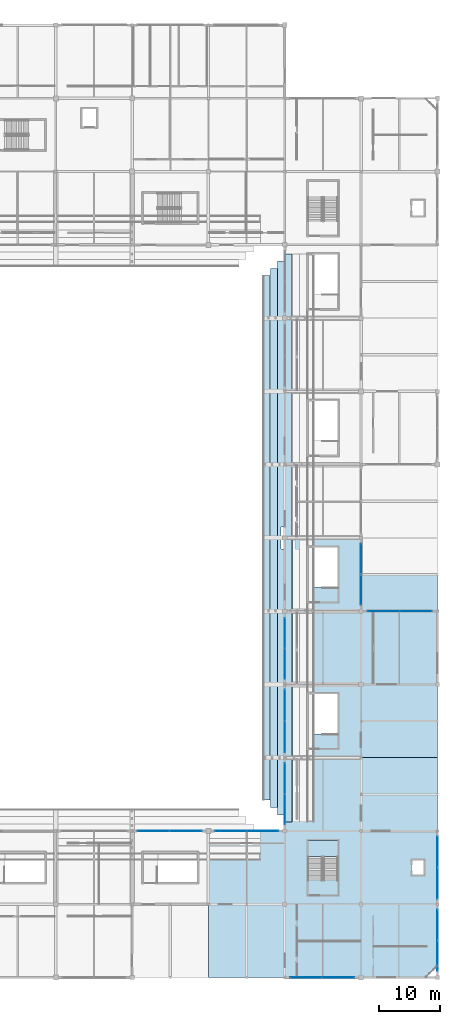
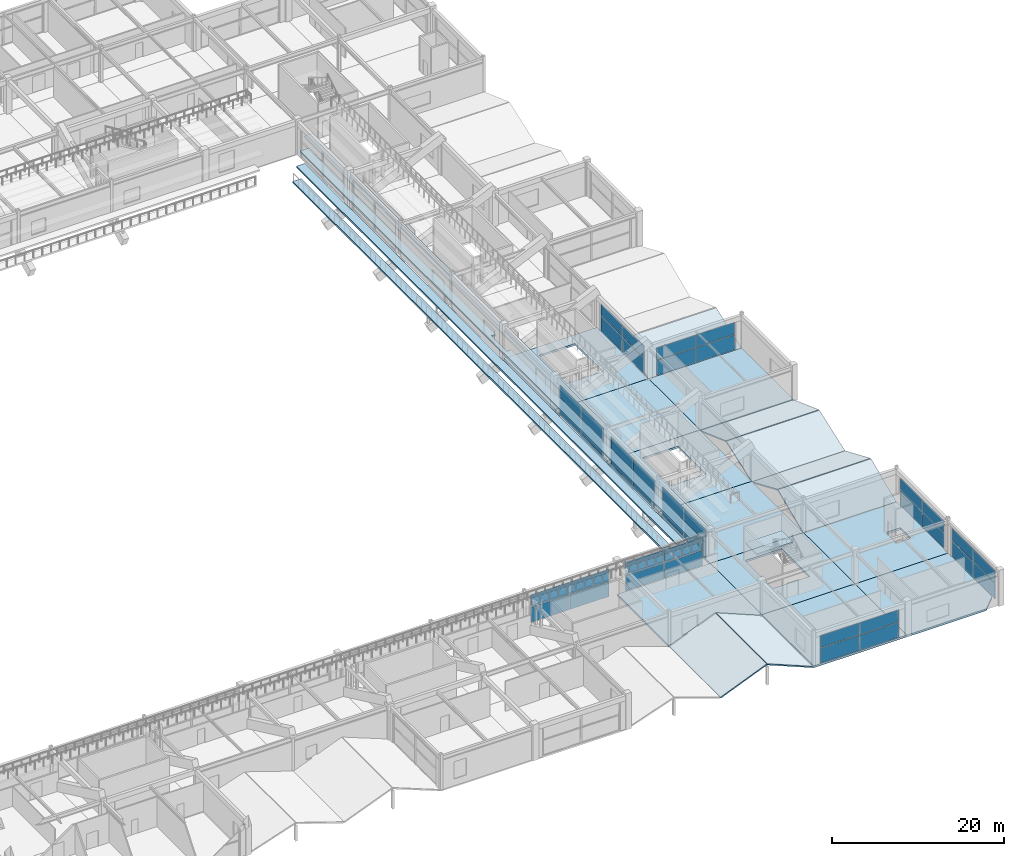
# One storey, part 72 of 128: 40 plates, 22 slabs, 11 elements without a shape of their own.
"""IFC4 building model written with IfcOpenShell, lengths in metres."""

from ifc_helpers import new_model, si_unit, direction, frame, origin, origin_2d, place, context, subcontext, project, spatial, polyline, rectangle, outline, extrude, material, layer, layer_set, type_object, element, aggregate, save


model = new_model("IFC4")

# Units and contexts
model_context = context("Model", 3, precision=1e-05, world=origin(), true_north=direction((0.0, 1.0)))
body_context = subcontext(model_context, "Body", "Model", "MODEL_VIEW")
ifc_project = project(units=[si_unit("LENGTHUNIT", "METRE"), si_unit("AREAUNIT", "SQUARE_METRE"), si_unit("VOLUMEUNIT", "CUBIC_METRE"), si_unit("PLANEANGLEUNIT", "RADIAN"), si_unit("MASSUNIT", "GRAM", prefix="KILO")], contexts=[model_context])

# Site, building, storey
site_placement = place(None, origin())
site = spatial("IfcSite", under=ifc_project, at=site_placement, CompositionType="ELEMENT")
building_placement = place(site_placement, origin())
building = spatial("IfcBuilding", under=site, at=building_placement, Name="Kazenohara Klinker Stadium", CompositionType="ELEMENT")
storey_placement = place(building_placement, frame((0.0, 0.0, 15.300048828125)))
storey = spatial("IfcBuildingStorey", under=building, at=storey_placement, Name="L03", CompositionType="ELEMENT", Elevation=15.300048828125)

# Curtain wall, plates
ifc_material_1 = material(Name="Anodised aluminium and triple glazing", Category="aluminium")
ifc_layer_1 = layer(ifc_material_1, 0.159912109375)
ifc_layer_set_1 = layer_set([ifc_layer_1], Name="Anodised aluminium and triple glazing")
curtain_wall_type_1 = type_object("IfcCurtainWallType", Name="CW-SYS-01", PredefinedType="USERDEFINED", material=ifc_layer_set_1)
curtain_wall_1_placement = place(storey_placement, origin())
curtain_wall_1 = element("IfcCurtainWall", 1, at=curtain_wall_1_placement, inside=storey, type_object=curtain_wall_type_1, Name="Unitised facade curtain wall CW01 L03 X12-3", ObjectType="UNITISED CURTAIN WALL", PredefinedType="USERDEFINED")
ifc_material_2 = material(Name="Low-e laminated triple glazing", Category="glass")
ifc_layer_2 = layer(ifc_material_2, 0.0439453125)
ifc_layer_set_2 = layer_set([ifc_layer_2], Name="Low-e laminated triple glazing")
plate_type = type_object("IfcPlateType", Name="CW-PNL-44", PredefinedType="CURTAIN_PANEL", material=ifc_layer_set_2)
plate_1_placement = place(storey_placement, frame((153.501953125, 36.0, 0.074951171875), z_axis=(0.0, 0.0, 1.0), x_axis=(1.0, 0.0, 0.0)))
plate_1 = element("IfcPlate", 2, at=plate_1_placement, type_object=plate_type, Name="CW01 panel 1.1", PredefinedType="CURTAIN_PANEL", context=body_context, shape_type="SweptSolid", body=[
    extrude(rectangle(XDim=5.196044921875, YDim=0.0439453125, at=origin_2d()), origin(), (0.0, 0.0, 1.0), 2.12060546875),
])
plate_2_placement = place(storey_placement, frame((153.501953125, 36.0, 2.2705078125), z_axis=(0.0, 0.0, 1.0), x_axis=(1.0, 0.0, 0.0)))
plate_2 = element("IfcPlate", 3, at=plate_2_placement, type_object=plate_type, Name="CW01 panel 1.2", PredefinedType="CURTAIN_PANEL", context=body_context, shape_type="SweptSolid", body=[
    extrude(rectangle(XDim=5.196044921875, YDim=0.0439453125, at=origin_2d()), origin(), (0.0, 0.0, 1.0), 1.714599609375),
])
plate_3_placement = place(storey_placement, frame((158.77294921875, 36.0, 0.074951171875), z_axis=(0.0, 0.0, 1.0), x_axis=(1.0, 0.0, 0.0)))
plate_3 = element("IfcPlate", 4, at=plate_3_placement, type_object=plate_type, Name="CW01 panel 2.1", PredefinedType="CURTAIN_PANEL", context=body_context, shape_type="SweptSolid", body=[
    extrude(rectangle(XDim=5.196044921875, YDim=0.0439453125, at=origin_2d()), origin(), (0.0, 0.0, 1.0), 2.12060546875),
])
plate_4_placement = place(storey_placement, frame((158.77294921875, 36.0, 2.2705078125), z_axis=(0.0, 0.0, 1.0), x_axis=(1.0, 0.0, 0.0)))
plate_4 = element("IfcPlate", 5, at=plate_4_placement, type_object=plate_type, Name="CW01 panel 2.2", PredefinedType="CURTAIN_PANEL", context=body_context, shape_type="SweptSolid", body=[
    extrude(rectangle(XDim=5.196044921875, YDim=0.0439453125, at=origin_2d()), origin(), (0.0, 0.0, 1.0), 1.714599609375),
])
aggregate(curtain_wall_1, [plate_1, plate_2, plate_3, plate_4])

ifc_layer_3 = layer(ifc_material_1, 0.199951171875)
ifc_layer_set_3 = layer_set([ifc_layer_3], Name="Anodised aluminium and triple glazing")
curtain_wall_type_2 = type_object("IfcCurtainWallType", Name="CW-SYS-03", PredefinedType="USERDEFINED", material=ifc_layer_set_3)
curtain_wall_2_placement = place(storey_placement, origin())
curtain_wall_2 = element("IfcCurtainWall", 6, at=curtain_wall_2_placement, inside=storey, type_object=curtain_wall_type_2, Name="Unitised facade curtain wall CW03 L03 X13-3", ObjectType="UNITISED CURTAIN WALL", PredefinedType="USERDEFINED")
plate_5_placement = place(storey_placement, frame((166.183349609375, 36.0, 0.07470703125), z_axis=(0.0, 0.0, 1.0), x_axis=(1.0, 0.0, 0.0)))
plate_5 = element("IfcPlate", 7, at=plate_5_placement, type_object=plate_type, Name="CW03 panel 1.1", PredefinedType="CURTAIN_PANEL", context=body_context, shape_type="SweptSolid", body=[
    extrude(rectangle(XDim=5.1083984375, YDim=0.0439453125, at=origin_2d()), origin(), (0.0, 0.0, 1.0), 2.175537109375),
])
plate_6_placement = place(storey_placement, frame((166.183349609375, 36.0, 2.32568359375), z_axis=(0.0, 0.0, 1.0), x_axis=(1.0, 0.0, 0.0)))
plate_6 = element("IfcPlate", 8, at=plate_6_placement, type_object=plate_type, Name="CW03 panel 1.2", PredefinedType="CURTAIN_PANEL", context=body_context, shape_type="SweptSolid", body=[
    extrude(rectangle(XDim=5.1083984375, YDim=0.0439453125, at=origin_2d()), origin(), (0.0, 0.0, 1.0), 1.759521484375),
])
plate_7_placement = place(storey_placement, frame((171.36669921875, 36.0, 0.07470703125), z_axis=(0.0, 0.0, 1.0), x_axis=(1.0, 0.0, 0.0)))
plate_7 = element("IfcPlate", 9, at=plate_7_placement, type_object=plate_type, Name="CW03 panel 2.1", PredefinedType="CURTAIN_PANEL", context=body_context, shape_type="SweptSolid", body=[
    extrude(rectangle(XDim=5.1083984375, YDim=0.0439453125, at=origin_2d()), origin(), (0.0, 0.0, 1.0), 2.175537109375),
])
plate_8_placement = place(storey_placement, frame((171.36669921875, 36.0, 2.32568359375), z_axis=(0.0, 0.0, 1.0), x_axis=(1.0, 0.0, 0.0)))
plate_8 = element("IfcPlate", 10, at=plate_8_placement, type_object=plate_type, Name="CW03 panel 2.2", PredefinedType="CURTAIN_PANEL", context=body_context, shape_type="SweptSolid", body=[
    extrude(rectangle(XDim=5.1083984375, YDim=0.0439453125, at=origin_2d()), origin(), (0.0, 0.0, 1.0), 1.759521484375),
])
aggregate(curtain_wall_2, [plate_5, plate_6, plate_7, plate_8])

ifc_layer_4 = layer(ifc_material_1, 0.18994140625)
ifc_layer_set_4 = layer_set([ifc_layer_4], Name="Anodised aluminium and triple glazing")
curtain_wall_type_3 = type_object("IfcCurtainWallType", Name="CW-SYS-05", PredefinedType="USERDEFINED", material=ifc_layer_set_4)
curtain_wall_3_placement = place(storey_placement, origin())
curtain_wall_3 = element("IfcCurtainWall", 11, at=curtain_wall_3_placement, inside=storey, type_object=curtain_wall_type_3, Name="Unitised facade curtain wall CW05 L03 X14-1", ObjectType="UNITISED CURTAIN WALL", PredefinedType="USERDEFINED")
plate_9_placement = place(storey_placement, frame((178.501953125, 12.0, 0.074951171875), z_axis=(0.0, 0.0, 1.0), x_axis=(1.0, 0.0, 0.0)))
plate_9 = element("IfcPlate", 12, at=plate_9_placement, type_object=plate_type, Name="CW05 panel 1.1", PredefinedType="CURTAIN_PANEL", context=body_context, shape_type="SweptSolid", body=[
    extrude(rectangle(XDim=5.196044921875, YDim=0.0439453125, at=origin_2d()), origin(), (0.0, 0.0, 1.0), 2.12060546875),
])
plate_10_placement = place(storey_placement, frame((178.501953125, 12.0, 2.2705078125), z_axis=(0.0, 0.0, 1.0), x_axis=(1.0, 0.0, 0.0)))
plate_10 = element("IfcPlate", 13, at=plate_10_placement, type_object=plate_type, Name="CW05 panel 1.2", PredefinedType="CURTAIN_PANEL", context=body_context, shape_type="SweptSolid", body=[
    extrude(rectangle(XDim=5.196044921875, YDim=0.0439453125, at=origin_2d()), origin(), (0.0, 0.0, 1.0), 1.714599609375),
])
plate_11_placement = place(storey_placement, frame((183.77294921875, 12.0, 0.074951171875), z_axis=(0.0, 0.0, 1.0), x_axis=(1.0, 0.0, 0.0)))
plate_11 = element("IfcPlate", 14, at=plate_11_placement, type_object=plate_type, Name="CW05 panel 2.1", PredefinedType="CURTAIN_PANEL", context=body_context, shape_type="SweptSolid", body=[
    extrude(rectangle(XDim=5.196044921875, YDim=0.0439453125, at=origin_2d()), origin(), (0.0, 0.0, 1.0), 2.12060546875),
])
plate_12_placement = place(storey_placement, frame((183.77294921875, 12.0, 2.2705078125), z_axis=(0.0, 0.0, 1.0), x_axis=(1.0, 0.0, 0.0)))
plate_12 = element("IfcPlate", 15, at=plate_12_placement, type_object=plate_type, Name="CW05 panel 2.2", PredefinedType="CURTAIN_PANEL", context=body_context, shape_type="SweptSolid", body=[
    extrude(rectangle(XDim=5.196044921875, YDim=0.0439453125, at=origin_2d()), origin(), (0.0, 0.0, 1.0), 1.714599609375),
])
aggregate(curtain_wall_3, [plate_9, plate_10, plate_11, plate_12])

curtain_wall_4_placement = place(storey_placement, origin())
curtain_wall_4 = element("IfcCurtainWall", 16, at=curtain_wall_4_placement, inside=storey, type_object=curtain_wall_type_1, Name="Unitised facade curtain wall CW01 L03 Y14-3", ObjectType="UNITISED CURTAIN WALL", PredefinedType="USERDEFINED")
plate_13_placement = place(storey_placement, frame((175.0, 39.558349609375, 0.074951171875), z_axis=(0.0, 0.0, 1.0), x_axis=(0.0, 1.0, 0.0)))
plate_13 = element("IfcPlate", 17, at=plate_13_placement, type_object=plate_type, Name="CW01 panel 1.1", PredefinedType="CURTAIN_PANEL", context=body_context, shape_type="SweptSolid", body=[
    extrude(rectangle(XDim=4.95849609375, YDim=0.0439453125, at=origin_2d()), origin(), (0.0, 0.0, 1.0), 2.18212890625),
])
plate_14_placement = place(storey_placement, frame((175.0, 39.558349609375, 2.33203125), z_axis=(0.0, 0.0, 1.0), x_axis=(0.0, 1.0, 0.0)))
plate_14 = element("IfcPlate", 18, at=plate_14_placement, type_object=plate_type, Name="CW01 panel 1.2", PredefinedType="CURTAIN_PANEL", context=body_context, shape_type="SweptSolid", body=[
    extrude(rectangle(XDim=4.95849609375, YDim=0.0439453125, at=origin_2d()), origin(), (0.0, 0.0, 1.0), 1.764892578125),
])
plate_15_placement = place(storey_placement, frame((175.0, 44.591796875, 0.074951171875), z_axis=(0.0, 0.0, 1.0), x_axis=(0.0, 1.0, 0.0)))
plate_15 = element("IfcPlate", 19, at=plate_15_placement, type_object=plate_type, Name="CW01 panel 2.1", PredefinedType="CURTAIN_PANEL", context=body_context, shape_type="SweptSolid", body=[
    extrude(rectangle(XDim=4.95849609375, YDim=0.0439453125, at=origin_2d()), origin(), (0.0, 0.0, 1.0), 2.18212890625),
])
plate_16_placement = place(storey_placement, frame((175.0, 44.591796875, 2.33203125), z_axis=(0.0, 0.0, 1.0), x_axis=(0.0, 1.0, 0.0)))
plate_16 = element("IfcPlate", 20, at=plate_16_placement, type_object=plate_type, Name="CW01 panel 2.2", PredefinedType="CURTAIN_PANEL", context=body_context, shape_type="SweptSolid", body=[
    extrude(rectangle(XDim=4.95849609375, YDim=0.0439453125, at=origin_2d()), origin(), (0.0, 0.0, 1.0), 1.764892578125),
])
aggregate(curtain_wall_4, [plate_13, plate_14, plate_15, plate_16])

ifc_layer_5 = layer(ifc_material_1, 0.179931640625)
ifc_layer_set_5 = layer_set([ifc_layer_5], Name="Anodised aluminium and triple glazing")
curtain_wall_type_4 = type_object("IfcCurtainWallType", Name="CW-SYS-02", PredefinedType="USERDEFINED", material=ifc_layer_set_5)
curtain_wall_5_placement = place(storey_placement, origin())
curtain_wall_5 = element("IfcCurtainWall", 21, at=curtain_wall_5_placement, inside=storey, type_object=curtain_wall_type_4, Name="Unitised facade curtain wall CW02 L03 Y14-4", ObjectType="UNITISED CURTAIN WALL", PredefinedType="USERDEFINED")
plate_17_placement = place(storey_placement, frame((175.0, 51.451904296875, 0.074951171875), z_axis=(0.0, 0.0, 1.0), x_axis=(0.0, 1.0, 0.0)))
plate_17 = element("IfcPlate", 22, at=plate_17_placement, type_object=plate_type, Name="CW02 panel 1.1", PredefinedType="CURTAIN_PANEL", context=body_context, shape_type="SweptSolid", body=[
    extrude(rectangle(XDim=5.0458984375, YDim=0.0439453125, at=origin_2d()), origin(), (0.0, 0.0, 1.0), 2.12060546875),
])
plate_18_placement = place(storey_placement, frame((175.0, 51.451904296875, 2.2705078125), z_axis=(0.0, 0.0, 1.0), x_axis=(0.0, 1.0, 0.0)))
plate_18 = element("IfcPlate", 23, at=plate_18_placement, type_object=plate_type, Name="CW02 panel 1.2", PredefinedType="CURTAIN_PANEL", context=body_context, shape_type="SweptSolid", body=[
    extrude(rectangle(XDim=5.0458984375, YDim=0.0439453125, at=origin_2d()), origin(), (0.0, 0.0, 1.0), 1.714599609375),
])
plate_19_placement = place(storey_placement, frame((175.0, 56.572998046875, 0.074951171875), z_axis=(0.0, 0.0, 1.0), x_axis=(0.0, 1.0, 0.0)))
plate_19 = element("IfcPlate", 24, at=plate_19_placement, type_object=plate_type, Name="CW02 panel 2.1", PredefinedType="CURTAIN_PANEL", context=body_context, shape_type="SweptSolid", body=[
    extrude(rectangle(XDim=5.0458984375, YDim=0.0439453125, at=origin_2d()), origin(), (0.0, 0.0, 1.0), 2.12060546875),
])
plate_20_placement = place(storey_placement, frame((175.0, 56.572998046875, 2.2705078125), z_axis=(0.0, 0.0, 1.0), x_axis=(0.0, 1.0, 0.0)))
plate_20 = element("IfcPlate", 25, at=plate_20_placement, type_object=plate_type, Name="CW02 panel 2.2", PredefinedType="CURTAIN_PANEL", context=body_context, shape_type="SweptSolid", body=[
    extrude(rectangle(XDim=5.0458984375, YDim=0.0439453125, at=origin_2d()), origin(), (0.0, 0.0, 1.0), 1.714599609375),
])
aggregate(curtain_wall_5, [plate_17, plate_18, plate_19, plate_20])

curtain_wall_6_placement = place(storey_placement, origin())
curtain_wall_6 = element("IfcCurtainWall", 26, at=curtain_wall_6_placement, inside=storey, type_object=curtain_wall_type_2, Name="Unitised facade curtain wall CW03 L03 Y14-5", ObjectType="UNITISED CURTAIN WALL", PredefinedType="USERDEFINED")
plate_21_placement = place(storey_placement, frame((175.0, 63.376953125, 0.07470703125), z_axis=(0.0, 0.0, 1.0), x_axis=(0.0, 1.0, 0.0)))
plate_21 = element("IfcPlate", 27, at=plate_21_placement, type_object=plate_type, Name="CW03 panel 1.1", PredefinedType="CURTAIN_PANEL", context=body_context, shape_type="SweptSolid", body=[
    extrude(rectangle(XDim=4.946044921875, YDim=0.0439453125, at=origin_2d()), origin(), (0.0, 0.0, 1.0), 2.175537109375),
])
plate_22_placement = place(storey_placement, frame((175.0, 63.376953125, 2.32568359375), z_axis=(0.0, 0.0, 1.0), x_axis=(0.0, 1.0, 0.0)))
plate_22 = element("IfcPlate", 28, at=plate_22_placement, type_object=plate_type, Name="CW03 panel 1.2", PredefinedType="CURTAIN_PANEL", context=body_context, shape_type="SweptSolid", body=[
    extrude(rectangle(XDim=4.946044921875, YDim=0.0439453125, at=origin_2d()), origin(), (0.0, 0.0, 1.0), 1.759521484375),
])
plate_23_placement = place(storey_placement, frame((175.0, 68.39794921875, 0.07470703125), z_axis=(0.0, 0.0, 1.0), x_axis=(0.0, 1.0, 0.0)))
plate_23 = element("IfcPlate", 29, at=plate_23_placement, type_object=plate_type, Name="CW03 panel 2.1", PredefinedType="CURTAIN_PANEL", context=body_context, shape_type="SweptSolid", body=[
    extrude(rectangle(XDim=4.946044921875, YDim=0.0439453125, at=origin_2d()), origin(), (0.0, 0.0, 1.0), 2.175537109375),
])
plate_24_placement = place(storey_placement, frame((175.0, 68.39794921875, 2.32568359375), z_axis=(0.0, 0.0, 1.0), x_axis=(0.0, 1.0, 0.0)))
plate_24 = element("IfcPlate", 30, at=plate_24_placement, type_object=plate_type, Name="CW03 panel 2.2", PredefinedType="CURTAIN_PANEL", context=body_context, shape_type="SweptSolid", body=[
    extrude(rectangle(XDim=4.946044921875, YDim=0.0439453125, at=origin_2d()), origin(), (0.0, 0.0, 1.0), 1.759521484375),
])
aggregate(curtain_wall_6, [plate_21, plate_22, plate_23, plate_24])

ifc_layer_6 = layer(ifc_material_1, 0.169921875)
ifc_layer_set_6 = layer_set([ifc_layer_6], Name="Anodised aluminium and triple glazing")
curtain_wall_type_5 = type_object("IfcCurtainWallType", Name="CW-SYS-04", PredefinedType="USERDEFINED", material=ifc_layer_set_6)
curtain_wall_7_placement = place(storey_placement, origin())
curtain_wall_7 = element("IfcCurtainWall", 31, at=curtain_wall_7_placement, inside=storey, type_object=curtain_wall_type_5, Name="Unitised facade curtain wall CW04 L03 Y15-6", ObjectType="UNITISED CURTAIN WALL", PredefinedType="USERDEFINED")
plate_25_placement = place(storey_placement, frame((187.5, 75.558349609375, 0.074951171875), z_axis=(0.0, 0.0, 1.0), x_axis=(0.0, 1.0, 0.0)))
plate_25 = element("IfcPlate", 32, at=plate_25_placement, type_object=plate_type, Name="CW04 panel 1.1", PredefinedType="CURTAIN_PANEL", context=body_context, shape_type="SweptSolid", body=[
    extrude(rectangle(XDim=4.95849609375, YDim=0.0439453125, at=origin_2d()), origin(), (0.0, 0.0, 1.0), 2.12060546875),
])
plate_26_placement = place(storey_placement, frame((187.5, 75.558349609375, 2.2705078125), z_axis=(0.0, 0.0, 1.0), x_axis=(0.0, 1.0, 0.0)))
plate_26 = element("IfcPlate", 33, at=plate_26_placement, type_object=plate_type, Name="CW04 panel 1.2", PredefinedType="CURTAIN_PANEL", context=body_context, shape_type="SweptSolid", body=[
    extrude(rectangle(XDim=4.95849609375, YDim=0.0439453125, at=origin_2d()), origin(), (0.0, 0.0, 1.0), 1.714599609375),
])
plate_27_placement = place(storey_placement, frame((187.5, 80.591796875, 0.074951171875), z_axis=(0.0, 0.0, 1.0), x_axis=(0.0, 1.0, 0.0)))
plate_27 = element("IfcPlate", 34, at=plate_27_placement, type_object=plate_type, Name="CW04 panel 2.1", PredefinedType="CURTAIN_PANEL", context=body_context, shape_type="SweptSolid", body=[
    extrude(rectangle(XDim=4.95849609375, YDim=0.0439453125, at=origin_2d()), origin(), (0.0, 0.0, 1.0), 2.12060546875),
])
plate_28_placement = place(storey_placement, frame((187.5, 80.591796875, 2.2705078125), z_axis=(0.0, 0.0, 1.0), x_axis=(0.0, 1.0, 0.0)))
plate_28 = element("IfcPlate", 35, at=plate_28_placement, type_object=plate_type, Name="CW04 panel 2.2", PredefinedType="CURTAIN_PANEL", context=body_context, shape_type="SweptSolid", body=[
    extrude(rectangle(XDim=4.95849609375, YDim=0.0439453125, at=origin_2d()), origin(), (0.0, 0.0, 1.0), 1.714599609375),
])
aggregate(curtain_wall_7, [plate_25, plate_26, plate_27, plate_28])

curtain_wall_8_placement = place(storey_placement, origin())
curtain_wall_8 = element("IfcCurtainWall", 36, at=curtain_wall_8_placement, inside=storey, type_object=curtain_wall_type_5, Name="Unitised facade curtain wall CW04 L03 Y16-1", ObjectType="UNITISED CURTAIN WALL", PredefinedType="USERDEFINED")
plate_29_placement = place(storey_placement, frame((200.0, 15.558349609375, 0.074951171875), z_axis=(0.0, 0.0, 1.0), x_axis=(0.0, 1.0, 0.0)))
plate_29 = element("IfcPlate", 37, at=plate_29_placement, type_object=plate_type, Name="CW04 panel 1.1", PredefinedType="CURTAIN_PANEL", context=body_context, shape_type="SweptSolid", body=[
    extrude(rectangle(XDim=4.95849609375, YDim=0.0439453125, at=origin_2d()), origin(), (0.0, 0.0, 1.0), 2.18212890625),
])
plate_30_placement = place(storey_placement, frame((200.0, 15.558349609375, 2.33203125), z_axis=(0.0, 0.0, 1.0), x_axis=(0.0, 1.0, 0.0)))
plate_30 = element("IfcPlate", 38, at=plate_30_placement, type_object=plate_type, Name="CW04 panel 1.2", PredefinedType="CURTAIN_PANEL", context=body_context, shape_type="SweptSolid", body=[
    extrude(rectangle(XDim=4.95849609375, YDim=0.0439453125, at=origin_2d()), origin(), (0.0, 0.0, 1.0), 1.764892578125),
])
plate_31_placement = place(storey_placement, frame((200.0, 20.591796875, 0.074951171875), z_axis=(0.0, 0.0, 1.0), x_axis=(0.0, 1.0, 0.0)))
plate_31 = element("IfcPlate", 39, at=plate_31_placement, type_object=plate_type, Name="CW04 panel 2.1", PredefinedType="CURTAIN_PANEL", context=body_context, shape_type="SweptSolid", body=[
    extrude(rectangle(XDim=4.95849609375, YDim=0.0439453125, at=origin_2d()), origin(), (0.0, 0.0, 1.0), 2.18212890625),
])
plate_32_placement = place(storey_placement, frame((200.0, 20.591796875, 2.33203125), z_axis=(0.0, 0.0, 1.0), x_axis=(0.0, 1.0, 0.0)))
plate_32 = element("IfcPlate", 40, at=plate_32_placement, type_object=plate_type, Name="CW04 panel 2.2", PredefinedType="CURTAIN_PANEL", context=body_context, shape_type="SweptSolid", body=[
    extrude(rectangle(XDim=4.95849609375, YDim=0.0439453125, at=origin_2d()), origin(), (0.0, 0.0, 1.0), 1.764892578125),
])
aggregate(curtain_wall_8, [plate_29, plate_30, plate_31, plate_32])

curtain_wall_9_placement = place(storey_placement, origin())
curtain_wall_9 = element("IfcCurtainWall", 41, at=curtain_wall_9_placement, inside=storey, type_object=curtain_wall_type_3, Name="Unitised facade curtain wall CW05 L03 Y16-2", ObjectType="UNITISED CURTAIN WALL", PredefinedType="USERDEFINED")
plate_33_placement = place(storey_placement, frame((200.0, 27.451904296875, 0.074951171875), z_axis=(0.0, 0.0, 1.0), x_axis=(0.0, 1.0, 0.0)))
plate_33 = element("IfcPlate", 42, at=plate_33_placement, type_object=plate_type, Name="CW05 panel 1.1", PredefinedType="CURTAIN_PANEL", context=body_context, shape_type="SweptSolid", body=[
    extrude(rectangle(XDim=5.0458984375, YDim=0.0439453125, at=origin_2d()), origin(), (0.0, 0.0, 1.0), 2.12060546875),
])
plate_34_placement = place(storey_placement, frame((200.0, 27.451904296875, 2.2705078125), z_axis=(0.0, 0.0, 1.0), x_axis=(0.0, 1.0, 0.0)))
plate_34 = element("IfcPlate", 43, at=plate_34_placement, type_object=plate_type, Name="CW05 panel 1.2", PredefinedType="CURTAIN_PANEL", context=body_context, shape_type="SweptSolid", body=[
    extrude(rectangle(XDim=5.0458984375, YDim=0.0439453125, at=origin_2d()), origin(), (0.0, 0.0, 1.0), 1.714599609375),
])
plate_35_placement = place(storey_placement, frame((200.0, 32.572998046875, 0.074951171875), z_axis=(0.0, 0.0, 1.0), x_axis=(0.0, 1.0, 0.0)))
plate_35 = element("IfcPlate", 44, at=plate_35_placement, type_object=plate_type, Name="CW05 panel 2.1", PredefinedType="CURTAIN_PANEL", context=body_context, shape_type="SweptSolid", body=[
    extrude(rectangle(XDim=5.0458984375, YDim=0.0439453125, at=origin_2d()), origin(), (0.0, 0.0, 1.0), 2.12060546875),
])
plate_36_placement = place(storey_placement, frame((200.0, 32.572998046875, 2.2705078125), z_axis=(0.0, 0.0, 1.0), x_axis=(0.0, 1.0, 0.0)))
plate_36 = element("IfcPlate", 45, at=plate_36_placement, type_object=plate_type, Name="CW05 panel 2.2", PredefinedType="CURTAIN_PANEL", context=body_context, shape_type="SweptSolid", body=[
    extrude(rectangle(XDim=5.0458984375, YDim=0.0439453125, at=origin_2d()), origin(), (0.0, 0.0, 1.0), 1.714599609375),
])
aggregate(curtain_wall_9, [plate_33, plate_34, plate_35, plate_36])

curtain_wall_10_placement = place(storey_placement, origin())
curtain_wall_10 = element("IfcCurtainWall", 46, at=curtain_wall_10_placement, inside=storey, type_object=curtain_wall_type_1, Name="Unitised facade curtain wall CW01 L03 X15-6", ObjectType="UNITISED CURTAIN WALL", PredefinedType="USERDEFINED")
plate_37_placement = place(storey_placement, frame((191.183349609375, 72.0, 0.074951171875), z_axis=(0.0, 0.0, 1.0), x_axis=(1.0, 0.0, 0.0)))
plate_37 = element("IfcPlate", 47, at=plate_37_placement, type_object=plate_type, Name="CW01 panel 1.1", PredefinedType="CURTAIN_PANEL", context=body_context, shape_type="SweptSolid", body=[
    extrude(rectangle(XDim=5.20849609375, YDim=0.0439453125, at=origin_2d()), origin(), (0.0, 0.0, 1.0), 2.12060546875),
])
plate_38_placement = place(storey_placement, frame((191.183349609375, 72.0, 2.2705078125), z_axis=(0.0, 0.0, 1.0), x_axis=(1.0, 0.0, 0.0)))
plate_38 = element("IfcPlate", 48, at=plate_38_placement, type_object=plate_type, Name="CW01 panel 1.2", PredefinedType="CURTAIN_PANEL", context=body_context, shape_type="SweptSolid", body=[
    extrude(rectangle(XDim=5.20849609375, YDim=0.0439453125, at=origin_2d()), origin(), (0.0, 0.0, 1.0), 1.714599609375),
])
plate_39_placement = place(storey_placement, frame((196.466796875, 72.0, 0.074951171875), z_axis=(0.0, 0.0, 1.0), x_axis=(1.0, 0.0, 0.0)))
plate_39 = element("IfcPlate", 49, at=plate_39_placement, type_object=plate_type, Name="CW01 panel 2.1", PredefinedType="CURTAIN_PANEL", context=body_context, shape_type="SweptSolid", body=[
    extrude(rectangle(XDim=5.20849609375, YDim=0.0439453125, at=origin_2d()), origin(), (0.0, 0.0, 1.0), 2.12060546875),
])
plate_40_placement = place(storey_placement, frame((196.466796875, 72.0, 2.2705078125), z_axis=(0.0, 0.0, 1.0), x_axis=(1.0, 0.0, 0.0)))
plate_40 = element("IfcPlate", 50, at=plate_40_placement, type_object=plate_type, Name="CW01 panel 2.2", PredefinedType="CURTAIN_PANEL", context=body_context, shape_type="SweptSolid", body=[
    extrude(rectangle(XDim=5.20849609375, YDim=0.0439453125, at=origin_2d()), origin(), (0.0, 0.0, 1.0), 1.714599609375),
])
aggregate(curtain_wall_10, [plate_37, plate_38, plate_39, plate_40])

# Slabs
ifc_material_3 = material(Name="Concrete C40/50", Category="concrete")
ifc_layer_7 = layer(ifc_material_3, 0.280029296875)
ifc_layer_set_7 = layer_set([ifc_layer_7], Name="Concrete C40/50")
slab_type_1 = type_object("IfcSlabType", Name="SLB-FLR-280", PredefinedType="FLOOR", material=ifc_layer_set_7)
slab_1_placement = place(storey_placement, frame((0.0, 0.0, -0.280029296875)))
element("IfcSlab", 51, at=slab_1_placement, inside=storey, type_object=slab_type_1, Name="Floor slab FS04 L03 14/C", PredefinedType="FLOOR", context=body_context, shape_type="SweptSolid", body=[
    extrude(outline(polyline([(162.5, 24.0), (175.0, 24.0), (175.0, 36.0), (162.5, 36.0), (162.5, 24.0)])), origin(), (0.0, 0.0, 1.0), 0.280029296875),
])
slab_2_placement = place(storey_placement, frame((0.0, 0.0, -0.280029296875)))
element("IfcSlab", 52, at=slab_2_placement, inside=storey, type_object=slab_type_1, Name="Floor slab FS04 L03 15/B", PredefinedType="FLOOR", context=body_context, shape_type="SweptSolid", body=[
    extrude(outline(polyline([(175.0, 12.0), (187.5, 12.0), (187.5, 24.0), (175.0, 24.0), (175.0, 12.0)])), origin(), (0.0, 0.0, 1.0), 0.280029296875),
])
slab_3_placement = place(storey_placement, frame((0.0, 0.0, -0.280029296875)))
element("IfcSlab", 53, at=slab_3_placement, inside=storey, type_object=slab_type_1, Name="Floor slab FS04 L03 15/C", PredefinedType="FLOOR", context=body_context, shape_type="SweptSolid", body=[
    extrude(outline(polyline([(175.0, 24.0), (187.5, 24.0), (187.5, 36.0), (175.0, 36.0), (175.0, 24.0)]), holes=[polyline([(183.68994140625, 27.9599609375), (183.68994140625, 34.4599609375), (178.81005859375, 34.4599609375), (178.81005859375, 27.9599609375), (183.68994140625, 27.9599609375)])]), origin(), (0.0, 0.0, 1.0), 0.280029296875),
])
slab_4_placement = place(storey_placement, frame((0.0, 0.0, -0.280029296875)))
element("IfcSlab", 54, at=slab_4_placement, inside=storey, type_object=slab_type_1, Name="Floor slab FS04 L03 15/D", PredefinedType="FLOOR", context=body_context, shape_type="SweptSolid", body=[
    extrude(outline(polyline([(175.0, 36.0), (187.5, 36.0), (187.5, 48.0), (175.0, 48.0), (175.0, 36.0)])), origin(), (0.0, 0.0, 1.0), 0.280029296875),
])
slab_5_placement = place(storey_placement, frame((0.0, 0.0, -0.280029296875)))
element("IfcSlab", 55, at=slab_5_placement, inside=storey, type_object=slab_type_1, Name="Floor slab FS04 L03 15/E", PredefinedType="FLOOR", context=body_context, shape_type="SweptSolid", body=[
    extrude(outline(polyline([(175.0, 48.0), (187.5, 48.0), (187.5, 60.0), (175.0, 60.0), (175.0, 48.0)]), holes=[polyline([(183.64990234375, 51.919921875), (183.64990234375, 58.4599609375), (178.85009765625, 58.4599609375), (178.85009765625, 51.919921875), (183.64990234375, 51.919921875)])]), origin(), (0.0, 0.0, 1.0), 0.280029296875),
])
slab_6_placement = place(storey_placement, frame((0.0, 0.0, -0.280029296875)))
element("IfcSlab", 56, at=slab_6_placement, inside=storey, type_object=slab_type_1, Name="Floor slab FS04 L03 15/F", PredefinedType="FLOOR", context=body_context, shape_type="SweptSolid", body=[
    extrude(outline(polyline([(175.0, 60.0), (187.5, 60.0), (187.5, 72.0), (175.0, 72.0), (175.0, 60.0)])), origin(), (0.0, 0.0, 1.0), 0.280029296875),
])
slab_7_placement = place(storey_placement, frame((0.0, 0.0, -0.280029296875)))
element("IfcSlab", 57, at=slab_7_placement, inside=storey, type_object=slab_type_1, Name="Floor slab FS04 L03 15/G", PredefinedType="FLOOR", context=body_context, shape_type="SweptSolid", body=[
    extrude(outline(polyline([(175.0, 72.0), (187.5, 72.0), (187.5, 84.0), (175.0, 84.0), (175.0, 72.0)]), holes=[polyline([(183.659912109375, 75.929931640625), (183.659912109375, 82.4599609375), (178.840087890625, 82.4599609375), (178.840087890625, 75.929931640625), (183.659912109375, 75.929931640625)])]), origin(), (0.0, 0.0, 1.0), 0.280029296875),
])
slab_8_placement = place(storey_placement, frame((0.0, 0.0, -0.280029296875)))
element("IfcSlab", 58, at=slab_8_placement, inside=storey, type_object=slab_type_1, Name="Floor slab FS04 L03 16/B", PredefinedType="FLOOR", context=body_context, shape_type="SweptSolid", body=[
    extrude(outline(polyline([(187.5, 12.0), (198.199951171875, 12.0), (200.0, 13.800048828125), (200.0, 24.0), (187.5, 24.0), (187.5, 12.0)])), origin(), (0.0, 0.0, 1.0), 0.280029296875),
])
slab_9_placement = place(storey_placement, frame((0.0, 0.0, -0.280029296875)))
element("IfcSlab", 59, at=slab_9_placement, inside=storey, type_object=slab_type_1, Name="Floor slab FS04 L03 16/C", PredefinedType="FLOOR", context=body_context, shape_type="SweptSolid", body=[
    extrude(outline(polyline([(187.5, 24.0), (200.0, 24.0), (200.0, 36.0), (187.5, 36.0), (187.5, 24.0)]), holes=[polyline([(195.85009765625, 28.800048828125), (197.75, 28.800048828125), (197.75, 31.199951171875), (195.85009765625, 31.199951171875), (195.85009765625, 28.800048828125)])]), origin(), (0.0, 0.0, 1.0), 0.280029296875),
])
slab_10_placement = place(storey_placement, frame((0.0, 0.0, -0.280029296875)))
element("IfcSlab", 60, at=slab_10_placement, inside=storey, type_object=slab_type_1, Name="Floor slab FS04 L03 16/F", PredefinedType="FLOOR", context=body_context, shape_type="SweptSolid", body=[
    extrude(outline(polyline([(187.5, 60.0), (200.0, 60.0), (200.0, 72.0), (187.5, 72.0), (187.5, 60.0)])), origin(), (0.0, 0.0, 1.0), 0.280029296875),
])

# Stair, slab
stair_type = type_object("IfcStairType", Name="STR-DL-2340", PredefinedType="HALF_TURN_STAIR", material=ifc_material_3)
stair_placement = place(storey_placement, origin())
stair = element("IfcStair", 61, at=stair_placement, inside=storey, type_object=stair_type, Name="L03 Enclosed escape stair ST16", PredefinedType="HALF_TURN_STAIR")
ifc_layer_8 = layer(ifc_material_3, 0.199951171875)
ifc_layer_set_8 = layer_set([ifc_layer_8], Name="Concrete C40/50")
slab_type_2 = type_object("IfcSlabType", Name="SLB-LND-200", PredefinedType="LANDING", material=ifc_layer_set_8)
slab_11_placement = place(storey_placement, frame((0.0, 0.0, 2.349853515625)))
slab_11 = element("IfcSlab", 62, at=slab_11_placement, type_object=slab_type_2, Name="ST16 landing 1", PredefinedType="LANDING", context=body_context, shape_type="SweptSolid", body=[
    extrude(outline(polyline([(183.68994140625, 31.800048828125), (183.68994140625, 34.4599609375), (178.81005859375, 34.4599609375), (178.81005859375, 31.800048828125), (183.68994140625, 31.800048828125)])), origin(), (0.0, 0.0, 1.0), 0.2001953125),
])
aggregate(stair, [slab_11])

# Slabs
ifc_material_4 = material(Name="Steel S355", Category="steel")
ifc_layer_9 = layer(ifc_material_4, 0.169921875)
ifc_layer_set_9 = layer_set([ifc_layer_9], Name="Steel S355")
slab_type_3 = type_object("IfcSlabType", Name="SLB-ROOF-170", PredefinedType="ROOF", material=ifc_layer_set_9)
for number, where, z_axis, x_axis, name in (
    (63, (162.5, 12.0, -0.080078125), (-0.380383442935, 0.0, 0.924828868678), (0.924828868678, 0.0, 0.380383442935), "Sloped snow-shedding wing roof RS02 L03 14/B A"),
    (64, (168.800048828125, 12.0, 2.469970703125), (0.380383442935, 0.0, 0.924828868678), (0.924828868678, 0.0, -0.380383442935), "Sloped snow-shedding wing roof RS02 L03 14/B B"),
):
    element("IfcSlab", number, at=place(storey_placement, frame(where, z_axis=z_axis, x_axis=x_axis)), inside=storey, type_object=slab_type_3, Name=name, PredefinedType="ROOF", context=body_context, shape_type="SweptSolid", body=[
        extrude(outline(polyline([(0.0, 0.0), (6.703890181040846, 0.0), (6.703890181040846, 12.0), (0.0, 12.0), (0.0, 0.0)])), origin(), (0.0, 0.0, -1.0), 0.169921875),
    ])
for number, where, z_axis, x_axis, name in (
    (65, (187.5, 36.0, -0.080078125), (0.0, -0.39392840207, 0.919141128469), (1.0, 0.0, 0.0), "Sloped snow-shedding wing roof RS02 L03 16/D A"),
    (66, (187.5, 42.050048828125, 2.469970703125), (0.0, 0.39392840207, 0.919141128469), (1.0, 0.0, 0.0), "Sloped snow-shedding wing roof RS02 L03 16/D B"),
):
    element("IfcSlab", number, at=place(storey_placement, frame(where, z_axis=z_axis, x_axis=x_axis)), inside=storey, type_object=slab_type_3, Name=name, PredefinedType="ROOF", context=body_context, shape_type="SweptSolid", body=[
        extrude(outline(polyline([(0.0, 0.0), (12.5, 0.0), (12.5, 6.473381494514159), (0.0, 6.473381494514159), (0.0, 0.0)])), origin(), (0.0, 0.0, -1.0), 0.169921875),
    ])
for number, where, z_axis, x_axis, name in (
    (67, (187.5, 48.0, -0.080078125), (0.0, -0.339861612046, 0.940475456701), (1.0, 0.0, 0.0), "Sloped snow-shedding wing roof RS02 L03 16/E A"),
    (68, (187.5, 54.050048828125, 2.070068359375), (0.0, 0.339861612046, 0.940475456701), (1.0, 0.0, 0.0), "Sloped snow-shedding wing roof RS02 L03 16/E B"),
    (69, (187.5, 72.0, -0.080078125), (0.0, -0.339861612046, 0.940475456701), (1.0, 0.0, 0.0), "Sloped snow-shedding wing roof RS02 L03 16/G A"),
):
    element("IfcSlab", number, at=place(storey_placement, frame(where, z_axis=z_axis, x_axis=x_axis)), inside=storey, type_object=slab_type_3, Name=name, PredefinedType="ROOF", context=body_context, shape_type="SweptSolid", body=[
        extrude(outline(polyline([(0.0, 0.0), (12.5, 0.0), (12.5, 6.3265352960342245), (0.0, 6.3265352960342245), (0.0, 0.0)])), origin(), (0.0, 0.0, -1.0), 0.169921875),
    ])
ifc_material_5 = material(Name="Precast concrete C50/60", Category="concrete")
ifc_layer_10 = layer(ifc_material_5, 0.22998046875)
ifc_layer_set_10 = layer_set([ifc_layer_10], Name="Precast concrete C50/60")
slab_type_4 = type_object("IfcSlabType", Name="SLB-TIER-230", PredefinedType="USERDEFINED", material=ifc_layer_set_10)
slab_12_placement = place(storey_placement, frame((0.0, 0.0, 3.094970703125)))
element("IfcSlab", 70, at=slab_12_placement, inside=storey, type_object=slab_type_4, Name="Stand upper tier E-04", ObjectType="SEATING TIER", PredefinedType="USERDEFINED", context=body_context, shape_type="SweptSolid", body=[
    extrude(outline(polyline([(175.0400390625, 37.5), (176.199951171875, 37.5), (176.199951171875, 130.5), (175.0400390625, 130.5), (175.0400390625, 37.5)])), origin(), (0.0, 0.0, 1.0), 0.22998046875),
])
slab_13_placement = place(storey_placement, frame((0.0, 0.0, 2.086669921875)))
element("IfcSlab", 71, at=slab_13_placement, inside=storey, type_object=slab_type_4, Name="Stand upper tier E-05", ObjectType="SEATING TIER", PredefinedType="USERDEFINED", context=body_context, shape_type="SweptSolid", body=[
    extrude(outline(polyline([(173.840087890625, 38.659912109375), (175.0, 38.659912109375), (175.0, 82.199951171875), (174.362060546875, 82.199951171875), (174.362060546875, 85.800048828125), (175.0, 85.800048828125), (175.0, 129.340087890625), (173.840087890625, 129.340087890625), (173.840087890625, 38.659912109375)])), origin(), (0.0, 0.0, 1.0), 0.22998046875),
])
slab_14_placement = place(storey_placement, frame((0.0, 0.0, 1.078369140625)))
element("IfcSlab", 72, at=slab_14_placement, inside=storey, type_object=slab_type_4, Name="Stand upper tier E-06", ObjectType="SEATING TIER", PredefinedType="USERDEFINED", context=body_context, shape_type="SweptSolid", body=[
    extrude(outline(polyline([(172.639892578125, 39.860107421875), (173.800048828125, 39.860107421875), (173.800048828125, 128.139892578125), (172.639892578125, 128.139892578125), (172.639892578125, 39.860107421875)])), origin(), (0.0, 0.0, 1.0), 0.22998046875),
])
slab_15_placement = place(storey_placement, frame((0.0, 0.0, 0.070068359375)))
element("IfcSlab", 73, at=slab_15_placement, inside=storey, type_object=slab_type_4, Name="Stand upper tier E-07", ObjectType="SEATING TIER", PredefinedType="USERDEFINED", context=body_context, shape_type="SweptSolid", body=[
    extrude(outline(polyline([(171.43994140625, 41.06005859375), (172.60009765625, 41.06005859375), (172.60009765625, 126.93994140625), (171.43994140625, 126.93994140625), (171.43994140625, 41.06005859375)])), origin(), (0.0, 0.0, 1.0), 0.22998046875),
])

save(model, "model.ifc")
